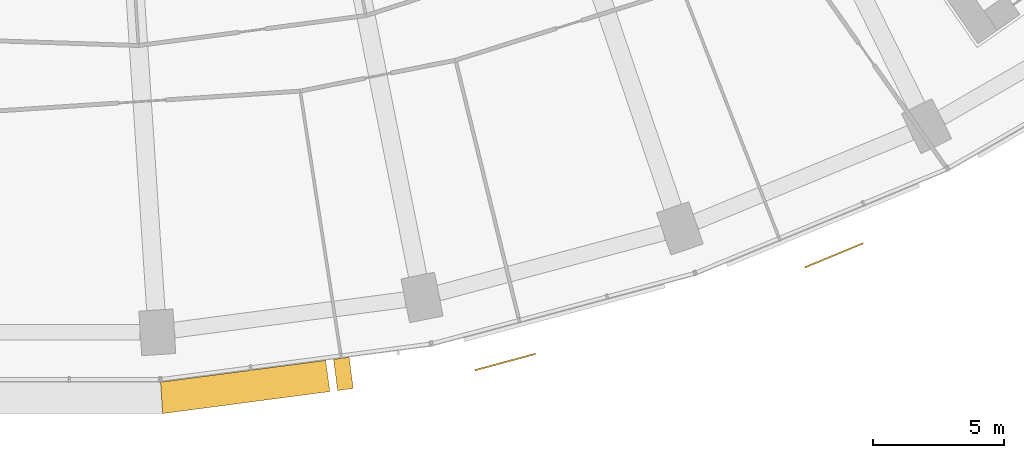
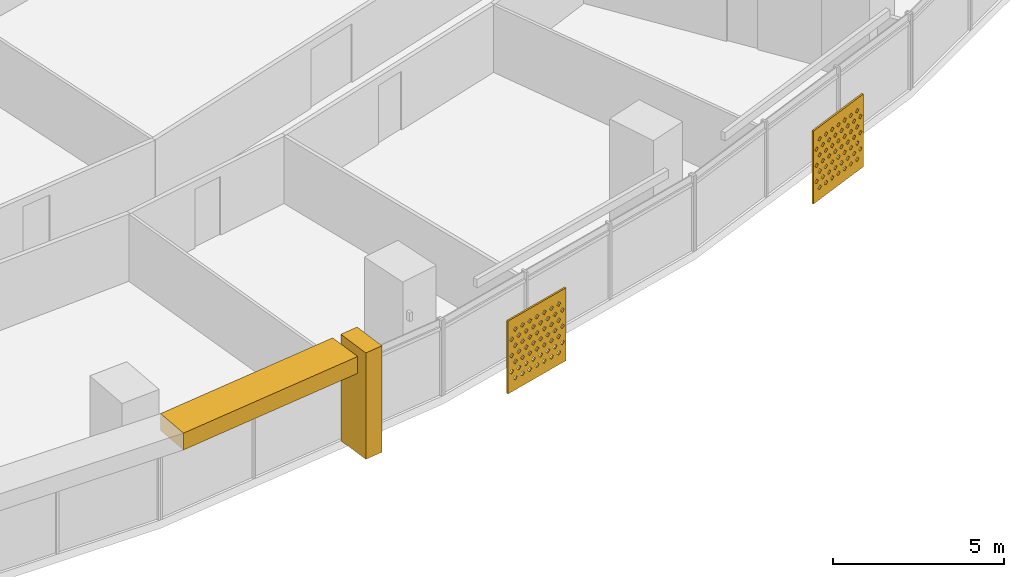
# One storey, part 28 of 31: 4 shading devices.
"""IFC4 building model written with IfcOpenShell, lengths in metres."""

from ifc_helpers import new_model, si_unit, direction, frame, origin, place, context, subcontext, project, spatial, polyline, outline, extrude, material, material_profile, profile_set, type_object, element, save


model = new_model("IFC4")

# Units and contexts
model_context = context("Model", 3, precision=1e-05, world=origin(), true_north=direction((0.0, 1.0)))
body_context = subcontext(model_context, "Body", "Model", "MODEL_VIEW")
ifc_project = project(units=[si_unit("LENGTHUNIT", "METRE"), si_unit("AREAUNIT", "SQUARE_METRE"), si_unit("VOLUMEUNIT", "CUBIC_METRE"), si_unit("PLANEANGLEUNIT", "RADIAN"), si_unit("MASSUNIT", "GRAM", prefix="KILO")], contexts=[model_context])

# Site, building, storey
site_placement = place(None, origin())
site = spatial("IfcSite", under=ifc_project, at=site_placement, CompositionType="ELEMENT")
building_placement = place(site_placement, origin())
building = spatial("IfcBuilding", under=site, at=building_placement, Name="Qamariyya Broadcast Tower", CompositionType="ELEMENT")
storey_placement = place(building_placement, frame((0.0, 0.0, 74.699951171875)))
storey = spatial("IfcBuildingStorey", under=building, at=storey_placement, Name="L15", CompositionType="ELEMENT", Elevation=74.699951171875)

# Shading devices
ifc_material_1 = material(Name="Steel S355 powder coated deep red", Category="steel")
shading_device_type_1 = type_object("IfcShadingDeviceType", Name="Deep red frame, powder coated steel box section", PredefinedType="USERDEFINED", material=ifc_material_1)
shading_device_1_placement = place(storey_placement, origin())
element("IfcShadingDevice", 1, at=shading_device_1_placement, inside=storey, type_object=shading_device_type_1, Name="e-frm-B1-F3-postb-L15", ObjectType="FRAME", PredefinedType="USERDEFINED", context=body_context, shape_type="SweptSolid", body=[
    extrude(outline(polyline([(11.79833984375, -78.612060546875), (11.954833984375, -79.8017578125), (12.5498046875, -79.723388671875), (12.39306640625, -78.53369140625), (11.79833984375, -78.612060546875)])), origin(), (0.0, 0.0, 1.0), 3.800048828125),
])
shading_device_2_placement = place(storey_placement, frame((0.0, 0.0, 3.199951171875)))
element("IfcShadingDevice", 2, at=shading_device_2_placement, inside=storey, type_object=shading_device_type_1, Name="e-frm-B1-F3-top1", ObjectType="FRAME", PredefinedType="USERDEFINED", context=body_context, shape_type="SweptSolid", body=[
    extrude(outline(polyline([(5.20947265625, -79.4794921875), (5.2880859375, -80.679443359375), (11.657470703125, -79.8408203125), (11.5009765625, -78.651123046875), (5.20947265625, -79.4794921875)])), origin(), (0.0, 0.0, 1.0), 0.60009765625),
])
ifc_material_2 = material(Name="Perforated glazed terracotta", Category="masonry")
ifc_material_profile = material_profile(ifc_material_2, outline(polyline([(-1.199951171875, -1.300048828125), (1.199951171875, -1.300048828125), (1.199951171875, 1.300048828125), (-1.199951171875, 1.300048828125), (-1.199951171875, -1.300048828125)]), holes=[polyline([(-0.81494140625, -0.86669921875), (-0.89990234375, -0.78173828125), (-0.985107421875, -0.86669921875), (-0.89990234375, -0.95166015625), (-0.81494140625, -0.86669921875)]), polyline([(-0.514892578125, -0.86669921875), (-0.60009765625, -0.78173828125), (-0.68505859375, -0.86669921875), (-0.60009765625, -0.95166015625), (-0.514892578125, -0.86669921875)]), polyline([(-0.215087890625, -0.86669921875), (-0.300048828125, -0.78173828125), (-0.385009765625, -0.86669921875), (-0.300048828125, -0.95166015625), (-0.215087890625, -0.86669921875)]), polyline([(0.0849609375, -0.86669921875), (0.0, -0.78173828125), (-0.0849609375, -0.86669921875), (0.0, -0.95166015625), (0.0849609375, -0.86669921875)]), polyline([(0.385009765625, -0.86669921875), (0.300048828125, -0.78173828125), (0.215087890625, -0.86669921875), (0.300048828125, -0.95166015625), (0.385009765625, -0.86669921875)]), polyline([(0.68505859375, -0.86669921875), (0.60009765625, -0.78173828125), (0.514892578125, -0.86669921875), (0.60009765625, -0.95166015625), (0.68505859375, -0.86669921875)]), polyline([(0.985107421875, -0.86669921875), (0.89990234375, -0.78173828125), (0.81494140625, -0.86669921875), (0.89990234375, -0.95166015625), (0.985107421875, -0.86669921875)]), polyline([(-0.965087890625, -0.577880859375), (-1.050048828125, -0.49267578125), (-1.135009765625, -0.577880859375), (-1.050048828125, -0.662841796875), (-0.965087890625, -0.577880859375)]), polyline([(-0.6650390625, -0.577880859375), (-0.75, -0.49267578125), (-0.8349609375, -0.577880859375), (-0.75, -0.662841796875), (-0.6650390625, -0.577880859375)]), polyline([(-0.364990234375, -0.577880859375), (-0.449951171875, -0.49267578125), (-0.534912109375, -0.577880859375), (-0.449951171875, -0.662841796875), (-0.364990234375, -0.577880859375)]), polyline([(-0.06494140625, -0.577880859375), (-0.14990234375, -0.49267578125), (-0.235107421875, -0.577880859375), (-0.14990234375, -0.662841796875), (-0.06494140625, -0.577880859375)]), polyline([(0.235107421875, -0.577880859375), (0.14990234375, -0.49267578125), (0.06494140625, -0.577880859375), (0.14990234375, -0.662841796875), (0.235107421875, -0.577880859375)]), polyline([(0.534912109375, -0.577880859375), (0.449951171875, -0.49267578125), (0.364990234375, -0.577880859375), (0.449951171875, -0.662841796875), (0.534912109375, -0.577880859375)]), polyline([(0.8349609375, -0.577880859375), (0.75, -0.49267578125), (0.6650390625, -0.577880859375), (0.75, -0.662841796875), (0.8349609375, -0.577880859375)]), polyline([(1.135009765625, -0.577880859375), (1.050048828125, -0.49267578125), (0.965087890625, -0.577880859375), (1.050048828125, -0.662841796875), (1.135009765625, -0.577880859375)]), polyline([(-0.81494140625, -0.288818359375), (-0.89990234375, -0.203857421875), (-0.985107421875, -0.288818359375), (-0.89990234375, -0.373779296875), (-0.81494140625, -0.288818359375)]), polyline([(-0.514892578125, -0.288818359375), (-0.60009765625, -0.203857421875), (-0.68505859375, -0.288818359375), (-0.60009765625, -0.373779296875), (-0.514892578125, -0.288818359375)]), polyline([(-0.215087890625, -0.288818359375), (-0.300048828125, -0.203857421875), (-0.385009765625, -0.288818359375), (-0.300048828125, -0.373779296875), (-0.215087890625, -0.288818359375)]), polyline([(0.0849609375, -0.288818359375), (0.0, -0.203857421875), (-0.0849609375, -0.288818359375), (0.0, -0.373779296875), (0.0849609375, -0.288818359375)]), polyline([(0.385009765625, -0.288818359375), (0.300048828125, -0.203857421875), (0.215087890625, -0.288818359375), (0.300048828125, -0.373779296875), (0.385009765625, -0.288818359375)]), polyline([(0.68505859375, -0.288818359375), (0.60009765625, -0.203857421875), (0.514892578125, -0.288818359375), (0.60009765625, -0.373779296875), (0.68505859375, -0.288818359375)]), polyline([(0.985107421875, -0.288818359375), (0.89990234375, -0.203857421875), (0.81494140625, -0.288818359375), (0.89990234375, -0.373779296875), (0.985107421875, -0.288818359375)]), polyline([(-0.965087890625, 0.0), (-1.050048828125, 0.0849609375), (-1.135009765625, 0.0), (-1.050048828125, -0.0849609375), (-0.965087890625, 0.0)]), polyline([(-0.6650390625, 0.0), (-0.75, 0.0849609375), (-0.8349609375, 0.0), (-0.75, -0.0849609375), (-0.6650390625, 0.0)]), polyline([(-0.364990234375, 0.0), (-0.449951171875, 0.0849609375), (-0.534912109375, 0.0), (-0.449951171875, -0.0849609375), (-0.364990234375, 0.0)]), polyline([(-0.06494140625, 0.0), (-0.14990234375, 0.0849609375), (-0.235107421875, 0.0), (-0.14990234375, -0.0849609375), (-0.06494140625, 0.0)]), polyline([(0.235107421875, 0.0), (0.14990234375, 0.0849609375), (0.06494140625, 0.0), (0.14990234375, -0.0849609375), (0.235107421875, 0.0)]), polyline([(0.534912109375, 0.0), (0.449951171875, 0.0849609375), (0.364990234375, 0.0), (0.449951171875, -0.0849609375), (0.534912109375, 0.0)]), polyline([(0.8349609375, 0.0), (0.75, 0.0849609375), (0.6650390625, 0.0), (0.75, -0.0849609375), (0.8349609375, 0.0)]), polyline([(1.135009765625, 0.0), (1.050048828125, 0.0849609375), (0.965087890625, 0.0), (1.050048828125, -0.0849609375), (1.135009765625, 0.0)]), polyline([(-0.81494140625, 0.288818359375), (-0.89990234375, 0.373779296875), (-0.985107421875, 0.288818359375), (-0.89990234375, 0.203857421875), (-0.81494140625, 0.288818359375)]), polyline([(-0.514892578125, 0.288818359375), (-0.60009765625, 0.373779296875), (-0.68505859375, 0.288818359375), (-0.60009765625, 0.203857421875), (-0.514892578125, 0.288818359375)]), polyline([(-0.215087890625, 0.288818359375), (-0.300048828125, 0.373779296875), (-0.385009765625, 0.288818359375), (-0.300048828125, 0.203857421875), (-0.215087890625, 0.288818359375)]), polyline([(0.0849609375, 0.288818359375), (0.0, 0.373779296875), (-0.0849609375, 0.288818359375), (0.0, 0.203857421875), (0.0849609375, 0.288818359375)]), polyline([(0.385009765625, 0.288818359375), (0.300048828125, 0.373779296875), (0.215087890625, 0.288818359375), (0.300048828125, 0.203857421875), (0.385009765625, 0.288818359375)]), polyline([(0.68505859375, 0.288818359375), (0.60009765625, 0.373779296875), (0.514892578125, 0.288818359375), (0.60009765625, 0.203857421875), (0.68505859375, 0.288818359375)]), polyline([(0.985107421875, 0.288818359375), (0.89990234375, 0.373779296875), (0.81494140625, 0.288818359375), (0.89990234375, 0.203857421875), (0.985107421875, 0.288818359375)]), polyline([(-0.965087890625, 0.577880859375), (-1.050048828125, 0.662841796875), (-1.135009765625, 0.577880859375), (-1.050048828125, 0.49267578125), (-0.965087890625, 0.577880859375)]), polyline([(-0.6650390625, 0.577880859375), (-0.75, 0.662841796875), (-0.8349609375, 0.577880859375), (-0.75, 0.49267578125), (-0.6650390625, 0.577880859375)]), polyline([(-0.364990234375, 0.577880859375), (-0.449951171875, 0.662841796875), (-0.534912109375, 0.577880859375), (-0.449951171875, 0.49267578125), (-0.364990234375, 0.577880859375)]), polyline([(-0.06494140625, 0.577880859375), (-0.14990234375, 0.662841796875), (-0.235107421875, 0.577880859375), (-0.14990234375, 0.49267578125), (-0.06494140625, 0.577880859375)]), polyline([(0.235107421875, 0.577880859375), (0.14990234375, 0.662841796875), (0.06494140625, 0.577880859375), (0.14990234375, 0.49267578125), (0.235107421875, 0.577880859375)]), polyline([(0.534912109375, 0.577880859375), (0.449951171875, 0.662841796875), (0.364990234375, 0.577880859375), (0.449951171875, 0.49267578125), (0.534912109375, 0.577880859375)]), polyline([(0.8349609375, 0.577880859375), (0.75, 0.662841796875), (0.6650390625, 0.577880859375), (0.75, 0.49267578125), (0.8349609375, 0.577880859375)]), polyline([(1.135009765625, 0.577880859375), (1.050048828125, 0.662841796875), (0.965087890625, 0.577880859375), (1.050048828125, 0.49267578125), (1.135009765625, 0.577880859375)]), polyline([(-0.81494140625, 0.86669921875), (-0.89990234375, 0.95166015625), (-0.985107421875, 0.86669921875), (-0.89990234375, 0.78173828125), (-0.81494140625, 0.86669921875)]), polyline([(-0.514892578125, 0.86669921875), (-0.60009765625, 0.95166015625), (-0.68505859375, 0.86669921875), (-0.60009765625, 0.78173828125), (-0.514892578125, 0.86669921875)]), polyline([(-0.215087890625, 0.86669921875), (-0.300048828125, 0.95166015625), (-0.385009765625, 0.86669921875), (-0.300048828125, 0.78173828125), (-0.215087890625, 0.86669921875)]), polyline([(0.0849609375, 0.86669921875), (0.0, 0.95166015625), (-0.0849609375, 0.86669921875), (0.0, 0.78173828125), (0.0849609375, 0.86669921875)]), polyline([(0.385009765625, 0.86669921875), (0.300048828125, 0.95166015625), (0.215087890625, 0.86669921875), (0.300048828125, 0.78173828125), (0.385009765625, 0.86669921875)]), polyline([(0.68505859375, 0.86669921875), (0.60009765625, 0.95166015625), (0.514892578125, 0.86669921875), (0.60009765625, 0.78173828125), (0.68505859375, 0.86669921875)]), polyline([(0.985107421875, 0.86669921875), (0.89990234375, 0.95166015625), (0.81494140625, 0.86669921875), (0.89990234375, 0.78173828125), (0.985107421875, 0.86669921875)])]))
ifc_profile_set = profile_set([ifc_material_profile], Name="Perforated glazed terracotta")
shading_device_type_2 = type_object("IfcShadingDeviceType", Name="Perforated terracotta screen 2400 x 2600", PredefinedType="USERDEFINED", material=ifc_profile_set)
shading_device_3_placement = place(storey_placement, frame((18.3330078125, -78.685791015625, 1.35009765625), z_axis=(0.260703819255, -0.965418830677, 0.0), x_axis=(0.965418830677, 0.260703819255, 0.0)))
element("IfcShadingDevice", 3, at=shading_device_3_placement, inside=storey, type_object=shading_device_type_2, Name="e-scr-L15-10-0", ObjectType="SCREEN", PredefinedType="USERDEFINED", context=body_context, shape_type="SweptSolid", body=[
    extrude(outline(polyline([(-1.199951171875, -1.300048828125), (1.199951171875, -1.300048828125), (1.199951171875, 1.300048828125), (-1.199951171875, 1.300048828125), (-1.199951171875, -1.300048828125)]), holes=[polyline([(-0.81494140625, -0.86669921875), (-0.89990234375, -0.78173828125), (-0.985107421875, -0.86669921875), (-0.89990234375, -0.95166015625), (-0.81494140625, -0.86669921875)]), polyline([(-0.514892578125, -0.86669921875), (-0.60009765625, -0.78173828125), (-0.68505859375, -0.86669921875), (-0.60009765625, -0.95166015625), (-0.514892578125, -0.86669921875)]), polyline([(-0.215087890625, -0.86669921875), (-0.300048828125, -0.78173828125), (-0.385009765625, -0.86669921875), (-0.300048828125, -0.95166015625), (-0.215087890625, -0.86669921875)]), polyline([(0.0849609375, -0.86669921875), (0.0, -0.78173828125), (-0.0849609375, -0.86669921875), (0.0, -0.95166015625), (0.0849609375, -0.86669921875)]), polyline([(0.385009765625, -0.86669921875), (0.300048828125, -0.78173828125), (0.215087890625, -0.86669921875), (0.300048828125, -0.95166015625), (0.385009765625, -0.86669921875)]), polyline([(0.68505859375, -0.86669921875), (0.60009765625, -0.78173828125), (0.514892578125, -0.86669921875), (0.60009765625, -0.95166015625), (0.68505859375, -0.86669921875)]), polyline([(0.985107421875, -0.86669921875), (0.89990234375, -0.78173828125), (0.81494140625, -0.86669921875), (0.89990234375, -0.95166015625), (0.985107421875, -0.86669921875)]), polyline([(-0.965087890625, -0.577880859375), (-1.050048828125, -0.49267578125), (-1.135009765625, -0.577880859375), (-1.050048828125, -0.662841796875), (-0.965087890625, -0.577880859375)]), polyline([(-0.6650390625, -0.577880859375), (-0.75, -0.49267578125), (-0.8349609375, -0.577880859375), (-0.75, -0.662841796875), (-0.6650390625, -0.577880859375)]), polyline([(-0.364990234375, -0.577880859375), (-0.449951171875, -0.49267578125), (-0.534912109375, -0.577880859375), (-0.449951171875, -0.662841796875), (-0.364990234375, -0.577880859375)]), polyline([(-0.06494140625, -0.577880859375), (-0.14990234375, -0.49267578125), (-0.235107421875, -0.577880859375), (-0.14990234375, -0.662841796875), (-0.06494140625, -0.577880859375)]), polyline([(0.235107421875, -0.577880859375), (0.14990234375, -0.49267578125), (0.06494140625, -0.577880859375), (0.14990234375, -0.662841796875), (0.235107421875, -0.577880859375)]), polyline([(0.534912109375, -0.577880859375), (0.449951171875, -0.49267578125), (0.364990234375, -0.577880859375), (0.449951171875, -0.662841796875), (0.534912109375, -0.577880859375)]), polyline([(0.8349609375, -0.577880859375), (0.75, -0.49267578125), (0.6650390625, -0.577880859375), (0.75, -0.662841796875), (0.8349609375, -0.577880859375)]), polyline([(1.135009765625, -0.577880859375), (1.050048828125, -0.49267578125), (0.965087890625, -0.577880859375), (1.050048828125, -0.662841796875), (1.135009765625, -0.577880859375)]), polyline([(-0.81494140625, -0.288818359375), (-0.89990234375, -0.203857421875), (-0.985107421875, -0.288818359375), (-0.89990234375, -0.373779296875), (-0.81494140625, -0.288818359375)]), polyline([(-0.514892578125, -0.288818359375), (-0.60009765625, -0.203857421875), (-0.68505859375, -0.288818359375), (-0.60009765625, -0.373779296875), (-0.514892578125, -0.288818359375)]), polyline([(-0.215087890625, -0.288818359375), (-0.300048828125, -0.203857421875), (-0.385009765625, -0.288818359375), (-0.300048828125, -0.373779296875), (-0.215087890625, -0.288818359375)]), polyline([(0.0849609375, -0.288818359375), (0.0, -0.203857421875), (-0.0849609375, -0.288818359375), (0.0, -0.373779296875), (0.0849609375, -0.288818359375)]), polyline([(0.385009765625, -0.288818359375), (0.300048828125, -0.203857421875), (0.215087890625, -0.288818359375), (0.300048828125, -0.373779296875), (0.385009765625, -0.288818359375)]), polyline([(0.68505859375, -0.288818359375), (0.60009765625, -0.203857421875), (0.514892578125, -0.288818359375), (0.60009765625, -0.373779296875), (0.68505859375, -0.288818359375)]), polyline([(0.985107421875, -0.288818359375), (0.89990234375, -0.203857421875), (0.81494140625, -0.288818359375), (0.89990234375, -0.373779296875), (0.985107421875, -0.288818359375)]), polyline([(-0.965087890625, 0.0), (-1.050048828125, 0.0849609375), (-1.135009765625, 0.0), (-1.050048828125, -0.0849609375), (-0.965087890625, 0.0)]), polyline([(-0.6650390625, 0.0), (-0.75, 0.0849609375), (-0.8349609375, 0.0), (-0.75, -0.0849609375), (-0.6650390625, 0.0)]), polyline([(-0.364990234375, 0.0), (-0.449951171875, 0.0849609375), (-0.534912109375, 0.0), (-0.449951171875, -0.0849609375), (-0.364990234375, 0.0)]), polyline([(-0.06494140625, 0.0), (-0.14990234375, 0.0849609375), (-0.235107421875, 0.0), (-0.14990234375, -0.0849609375), (-0.06494140625, 0.0)]), polyline([(0.235107421875, 0.0), (0.14990234375, 0.0849609375), (0.06494140625, 0.0), (0.14990234375, -0.0849609375), (0.235107421875, 0.0)]), polyline([(0.534912109375, 0.0), (0.449951171875, 0.0849609375), (0.364990234375, 0.0), (0.449951171875, -0.0849609375), (0.534912109375, 0.0)]), polyline([(0.8349609375, 0.0), (0.75, 0.0849609375), (0.6650390625, 0.0), (0.75, -0.0849609375), (0.8349609375, 0.0)]), polyline([(1.135009765625, 0.0), (1.050048828125, 0.0849609375), (0.965087890625, 0.0), (1.050048828125, -0.0849609375), (1.135009765625, 0.0)]), polyline([(-0.81494140625, 0.288818359375), (-0.89990234375, 0.373779296875), (-0.985107421875, 0.288818359375), (-0.89990234375, 0.203857421875), (-0.81494140625, 0.288818359375)]), polyline([(-0.514892578125, 0.288818359375), (-0.60009765625, 0.373779296875), (-0.68505859375, 0.288818359375), (-0.60009765625, 0.203857421875), (-0.514892578125, 0.288818359375)]), polyline([(-0.215087890625, 0.288818359375), (-0.300048828125, 0.373779296875), (-0.385009765625, 0.288818359375), (-0.300048828125, 0.203857421875), (-0.215087890625, 0.288818359375)]), polyline([(0.0849609375, 0.288818359375), (0.0, 0.373779296875), (-0.0849609375, 0.288818359375), (0.0, 0.203857421875), (0.0849609375, 0.288818359375)]), polyline([(0.385009765625, 0.288818359375), (0.300048828125, 0.373779296875), (0.215087890625, 0.288818359375), (0.300048828125, 0.203857421875), (0.385009765625, 0.288818359375)]), polyline([(0.68505859375, 0.288818359375), (0.60009765625, 0.373779296875), (0.514892578125, 0.288818359375), (0.60009765625, 0.203857421875), (0.68505859375, 0.288818359375)]), polyline([(0.985107421875, 0.288818359375), (0.89990234375, 0.373779296875), (0.81494140625, 0.288818359375), (0.89990234375, 0.203857421875), (0.985107421875, 0.288818359375)]), polyline([(-0.965087890625, 0.577880859375), (-1.050048828125, 0.662841796875), (-1.135009765625, 0.577880859375), (-1.050048828125, 0.49267578125), (-0.965087890625, 0.577880859375)]), polyline([(-0.6650390625, 0.577880859375), (-0.75, 0.662841796875), (-0.8349609375, 0.577880859375), (-0.75, 0.49267578125), (-0.6650390625, 0.577880859375)]), polyline([(-0.364990234375, 0.577880859375), (-0.449951171875, 0.662841796875), (-0.534912109375, 0.577880859375), (-0.449951171875, 0.49267578125), (-0.364990234375, 0.577880859375)]), polyline([(-0.06494140625, 0.577880859375), (-0.14990234375, 0.662841796875), (-0.235107421875, 0.577880859375), (-0.14990234375, 0.49267578125), (-0.06494140625, 0.577880859375)]), polyline([(0.235107421875, 0.577880859375), (0.14990234375, 0.662841796875), (0.06494140625, 0.577880859375), (0.14990234375, 0.49267578125), (0.235107421875, 0.577880859375)]), polyline([(0.534912109375, 0.577880859375), (0.449951171875, 0.662841796875), (0.364990234375, 0.577880859375), (0.449951171875, 0.49267578125), (0.534912109375, 0.577880859375)]), polyline([(0.8349609375, 0.577880859375), (0.75, 0.662841796875), (0.6650390625, 0.577880859375), (0.75, 0.49267578125), (0.8349609375, 0.577880859375)]), polyline([(1.135009765625, 0.577880859375), (1.050048828125, 0.662841796875), (0.965087890625, 0.577880859375), (1.050048828125, 0.49267578125), (1.135009765625, 0.577880859375)]), polyline([(-0.81494140625, 0.86669921875), (-0.89990234375, 0.95166015625), (-0.985107421875, 0.86669921875), (-0.89990234375, 0.78173828125), (-0.81494140625, 0.86669921875)]), polyline([(-0.514892578125, 0.86669921875), (-0.60009765625, 0.95166015625), (-0.68505859375, 0.86669921875), (-0.60009765625, 0.78173828125), (-0.514892578125, 0.86669921875)]), polyline([(-0.215087890625, 0.86669921875), (-0.300048828125, 0.95166015625), (-0.385009765625, 0.86669921875), (-0.300048828125, 0.78173828125), (-0.215087890625, 0.86669921875)]), polyline([(0.0849609375, 0.86669921875), (0.0, 0.95166015625), (-0.0849609375, 0.86669921875), (0.0, 0.78173828125), (0.0849609375, 0.86669921875)]), polyline([(0.385009765625, 0.86669921875), (0.300048828125, 0.95166015625), (0.215087890625, 0.86669921875), (0.300048828125, 0.78173828125), (0.385009765625, 0.86669921875)]), polyline([(0.68505859375, 0.86669921875), (0.60009765625, 0.95166015625), (0.514892578125, 0.86669921875), (0.60009765625, 0.78173828125), (0.68505859375, 0.86669921875)]), polyline([(0.985107421875, 0.86669921875), (0.89990234375, 0.95166015625), (0.81494140625, 0.86669921875), (0.89990234375, 0.78173828125), (0.985107421875, 0.86669921875)])]), origin(), (0.0, 0.0, 1.0), 0.059814453125),
])
shading_device_4_placement = place(storey_placement, frame((30.85302734375, -74.622802734375, 1.35009765625), z_axis=(0.382591441855, -0.923917630863, 0.0), x_axis=(0.923917630863, 0.382591441855, 0.0)))
element("IfcShadingDevice", 4, at=shading_device_4_placement, inside=storey, type_object=shading_device_type_2, Name="e-scr-L15-11-1", ObjectType="SCREEN", PredefinedType="USERDEFINED", context=body_context, shape_type="SweptSolid", body=[
    extrude(outline(polyline([(-1.199951171875, -1.300048828125), (1.199951171875, -1.300048828125), (1.199951171875, 1.300048828125), (-1.199951171875, 1.300048828125), (-1.199951171875, -1.300048828125)]), holes=[polyline([(-0.81494140625, -0.86669921875), (-0.89990234375, -0.78173828125), (-0.985107421875, -0.86669921875), (-0.89990234375, -0.95166015625), (-0.81494140625, -0.86669921875)]), polyline([(-0.514892578125, -0.86669921875), (-0.60009765625, -0.78173828125), (-0.68505859375, -0.86669921875), (-0.60009765625, -0.95166015625), (-0.514892578125, -0.86669921875)]), polyline([(-0.215087890625, -0.86669921875), (-0.300048828125, -0.78173828125), (-0.385009765625, -0.86669921875), (-0.300048828125, -0.95166015625), (-0.215087890625, -0.86669921875)]), polyline([(0.0849609375, -0.86669921875), (0.0, -0.78173828125), (-0.0849609375, -0.86669921875), (0.0, -0.95166015625), (0.0849609375, -0.86669921875)]), polyline([(0.385009765625, -0.86669921875), (0.300048828125, -0.78173828125), (0.215087890625, -0.86669921875), (0.300048828125, -0.95166015625), (0.385009765625, -0.86669921875)]), polyline([(0.68505859375, -0.86669921875), (0.60009765625, -0.78173828125), (0.514892578125, -0.86669921875), (0.60009765625, -0.95166015625), (0.68505859375, -0.86669921875)]), polyline([(0.985107421875, -0.86669921875), (0.89990234375, -0.78173828125), (0.81494140625, -0.86669921875), (0.89990234375, -0.95166015625), (0.985107421875, -0.86669921875)]), polyline([(-0.965087890625, -0.577880859375), (-1.050048828125, -0.49267578125), (-1.135009765625, -0.577880859375), (-1.050048828125, -0.662841796875), (-0.965087890625, -0.577880859375)]), polyline([(-0.6650390625, -0.577880859375), (-0.75, -0.49267578125), (-0.8349609375, -0.577880859375), (-0.75, -0.662841796875), (-0.6650390625, -0.577880859375)]), polyline([(-0.364990234375, -0.577880859375), (-0.449951171875, -0.49267578125), (-0.534912109375, -0.577880859375), (-0.449951171875, -0.662841796875), (-0.364990234375, -0.577880859375)]), polyline([(-0.06494140625, -0.577880859375), (-0.14990234375, -0.49267578125), (-0.235107421875, -0.577880859375), (-0.14990234375, -0.662841796875), (-0.06494140625, -0.577880859375)]), polyline([(0.235107421875, -0.577880859375), (0.14990234375, -0.49267578125), (0.06494140625, -0.577880859375), (0.14990234375, -0.662841796875), (0.235107421875, -0.577880859375)]), polyline([(0.534912109375, -0.577880859375), (0.449951171875, -0.49267578125), (0.364990234375, -0.577880859375), (0.449951171875, -0.662841796875), (0.534912109375, -0.577880859375)]), polyline([(0.8349609375, -0.577880859375), (0.75, -0.49267578125), (0.6650390625, -0.577880859375), (0.75, -0.662841796875), (0.8349609375, -0.577880859375)]), polyline([(1.135009765625, -0.577880859375), (1.050048828125, -0.49267578125), (0.965087890625, -0.577880859375), (1.050048828125, -0.662841796875), (1.135009765625, -0.577880859375)]), polyline([(-0.81494140625, -0.288818359375), (-0.89990234375, -0.203857421875), (-0.985107421875, -0.288818359375), (-0.89990234375, -0.373779296875), (-0.81494140625, -0.288818359375)]), polyline([(-0.514892578125, -0.288818359375), (-0.60009765625, -0.203857421875), (-0.68505859375, -0.288818359375), (-0.60009765625, -0.373779296875), (-0.514892578125, -0.288818359375)]), polyline([(-0.215087890625, -0.288818359375), (-0.300048828125, -0.203857421875), (-0.385009765625, -0.288818359375), (-0.300048828125, -0.373779296875), (-0.215087890625, -0.288818359375)]), polyline([(0.0849609375, -0.288818359375), (0.0, -0.203857421875), (-0.0849609375, -0.288818359375), (0.0, -0.373779296875), (0.0849609375, -0.288818359375)]), polyline([(0.385009765625, -0.288818359375), (0.300048828125, -0.203857421875), (0.215087890625, -0.288818359375), (0.300048828125, -0.373779296875), (0.385009765625, -0.288818359375)]), polyline([(0.68505859375, -0.288818359375), (0.60009765625, -0.203857421875), (0.514892578125, -0.288818359375), (0.60009765625, -0.373779296875), (0.68505859375, -0.288818359375)]), polyline([(0.985107421875, -0.288818359375), (0.89990234375, -0.203857421875), (0.81494140625, -0.288818359375), (0.89990234375, -0.373779296875), (0.985107421875, -0.288818359375)]), polyline([(-0.965087890625, 0.0), (-1.050048828125, 0.0849609375), (-1.135009765625, 0.0), (-1.050048828125, -0.0849609375), (-0.965087890625, 0.0)]), polyline([(-0.6650390625, 0.0), (-0.75, 0.0849609375), (-0.8349609375, 0.0), (-0.75, -0.0849609375), (-0.6650390625, 0.0)]), polyline([(-0.364990234375, 0.0), (-0.449951171875, 0.0849609375), (-0.534912109375, 0.0), (-0.449951171875, -0.0849609375), (-0.364990234375, 0.0)]), polyline([(-0.06494140625, 0.0), (-0.14990234375, 0.0849609375), (-0.235107421875, 0.0), (-0.14990234375, -0.0849609375), (-0.06494140625, 0.0)]), polyline([(0.235107421875, 0.0), (0.14990234375, 0.0849609375), (0.06494140625, 0.0), (0.14990234375, -0.0849609375), (0.235107421875, 0.0)]), polyline([(0.534912109375, 0.0), (0.449951171875, 0.0849609375), (0.364990234375, 0.0), (0.449951171875, -0.0849609375), (0.534912109375, 0.0)]), polyline([(0.8349609375, 0.0), (0.75, 0.0849609375), (0.6650390625, 0.0), (0.75, -0.0849609375), (0.8349609375, 0.0)]), polyline([(1.135009765625, 0.0), (1.050048828125, 0.0849609375), (0.965087890625, 0.0), (1.050048828125, -0.0849609375), (1.135009765625, 0.0)]), polyline([(-0.81494140625, 0.288818359375), (-0.89990234375, 0.373779296875), (-0.985107421875, 0.288818359375), (-0.89990234375, 0.203857421875), (-0.81494140625, 0.288818359375)]), polyline([(-0.514892578125, 0.288818359375), (-0.60009765625, 0.373779296875), (-0.68505859375, 0.288818359375), (-0.60009765625, 0.203857421875), (-0.514892578125, 0.288818359375)]), polyline([(-0.215087890625, 0.288818359375), (-0.300048828125, 0.373779296875), (-0.385009765625, 0.288818359375), (-0.300048828125, 0.203857421875), (-0.215087890625, 0.288818359375)]), polyline([(0.0849609375, 0.288818359375), (0.0, 0.373779296875), (-0.0849609375, 0.288818359375), (0.0, 0.203857421875), (0.0849609375, 0.288818359375)]), polyline([(0.385009765625, 0.288818359375), (0.300048828125, 0.373779296875), (0.215087890625, 0.288818359375), (0.300048828125, 0.203857421875), (0.385009765625, 0.288818359375)]), polyline([(0.68505859375, 0.288818359375), (0.60009765625, 0.373779296875), (0.514892578125, 0.288818359375), (0.60009765625, 0.203857421875), (0.68505859375, 0.288818359375)]), polyline([(0.985107421875, 0.288818359375), (0.89990234375, 0.373779296875), (0.81494140625, 0.288818359375), (0.89990234375, 0.203857421875), (0.985107421875, 0.288818359375)]), polyline([(-0.965087890625, 0.577880859375), (-1.050048828125, 0.662841796875), (-1.135009765625, 0.577880859375), (-1.050048828125, 0.49267578125), (-0.965087890625, 0.577880859375)]), polyline([(-0.6650390625, 0.577880859375), (-0.75, 0.662841796875), (-0.8349609375, 0.577880859375), (-0.75, 0.49267578125), (-0.6650390625, 0.577880859375)]), polyline([(-0.364990234375, 0.577880859375), (-0.449951171875, 0.662841796875), (-0.534912109375, 0.577880859375), (-0.449951171875, 0.49267578125), (-0.364990234375, 0.577880859375)]), polyline([(-0.06494140625, 0.577880859375), (-0.14990234375, 0.662841796875), (-0.235107421875, 0.577880859375), (-0.14990234375, 0.49267578125), (-0.06494140625, 0.577880859375)]), polyline([(0.235107421875, 0.577880859375), (0.14990234375, 0.662841796875), (0.06494140625, 0.577880859375), (0.14990234375, 0.49267578125), (0.235107421875, 0.577880859375)]), polyline([(0.534912109375, 0.577880859375), (0.449951171875, 0.662841796875), (0.364990234375, 0.577880859375), (0.449951171875, 0.49267578125), (0.534912109375, 0.577880859375)]), polyline([(0.8349609375, 0.577880859375), (0.75, 0.662841796875), (0.6650390625, 0.577880859375), (0.75, 0.49267578125), (0.8349609375, 0.577880859375)]), polyline([(1.135009765625, 0.577880859375), (1.050048828125, 0.662841796875), (0.965087890625, 0.577880859375), (1.050048828125, 0.49267578125), (1.135009765625, 0.577880859375)]), polyline([(-0.81494140625, 0.86669921875), (-0.89990234375, 0.95166015625), (-0.985107421875, 0.86669921875), (-0.89990234375, 0.78173828125), (-0.81494140625, 0.86669921875)]), polyline([(-0.514892578125, 0.86669921875), (-0.60009765625, 0.95166015625), (-0.68505859375, 0.86669921875), (-0.60009765625, 0.78173828125), (-0.514892578125, 0.86669921875)]), polyline([(-0.215087890625, 0.86669921875), (-0.300048828125, 0.95166015625), (-0.385009765625, 0.86669921875), (-0.300048828125, 0.78173828125), (-0.215087890625, 0.86669921875)]), polyline([(0.0849609375, 0.86669921875), (0.0, 0.95166015625), (-0.0849609375, 0.86669921875), (0.0, 0.78173828125), (0.0849609375, 0.86669921875)]), polyline([(0.385009765625, 0.86669921875), (0.300048828125, 0.95166015625), (0.215087890625, 0.86669921875), (0.300048828125, 0.78173828125), (0.385009765625, 0.86669921875)]), polyline([(0.68505859375, 0.86669921875), (0.60009765625, 0.95166015625), (0.514892578125, 0.86669921875), (0.60009765625, 0.78173828125), (0.68505859375, 0.86669921875)]), polyline([(0.985107421875, 0.86669921875), (0.89990234375, 0.95166015625), (0.81494140625, 0.86669921875), (0.89990234375, 0.78173828125), (0.985107421875, 0.86669921875)])]), origin(), (0.0, 0.0, 1.0), 0.06005859375),
])

save(model, "model.ifc")
